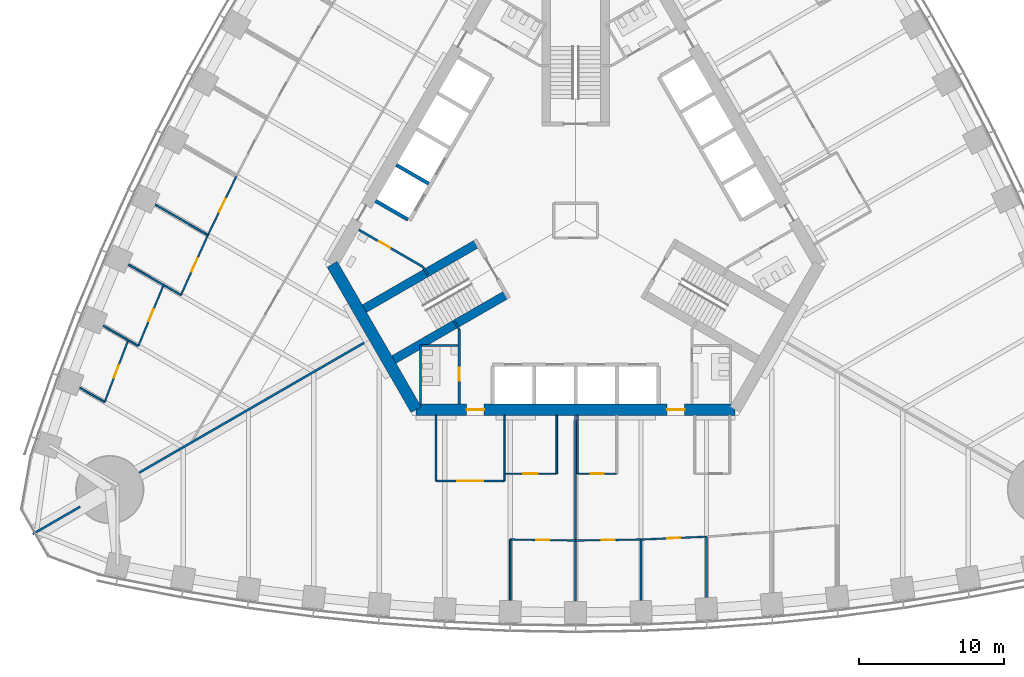
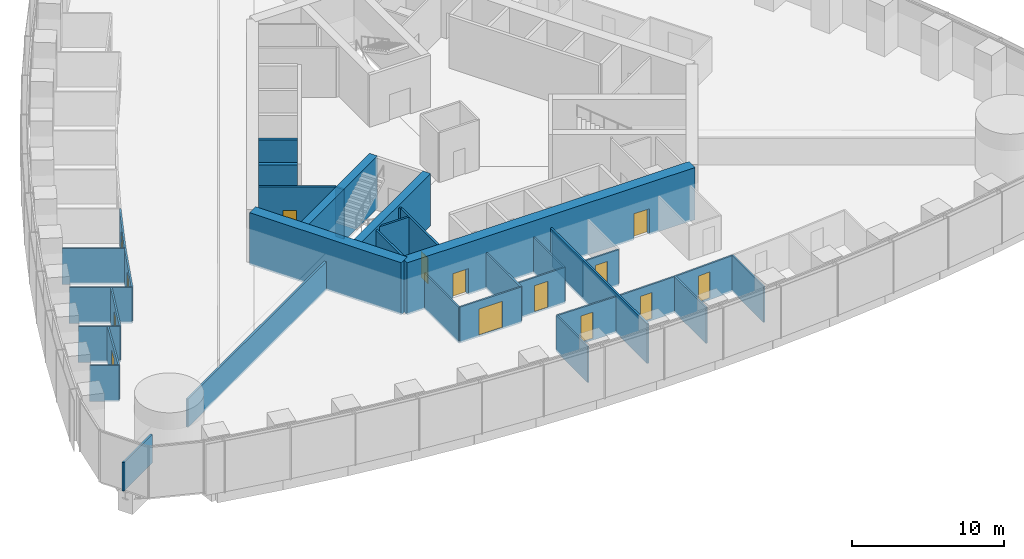
# One storey, part 10 of 18: 36 walls, 14 doors, 14 openings.
"""IFC4 building model written with IfcOpenShell, lengths in metres."""

from ifc_helpers import new_model, si_unit, direction, frame, frame_2d, origin, place, context, subcontext, project, spatial, rectangle, extrude, material, layer, layer_set, type_object, element, fill, save


model = new_model("IFC4")

# Units and contexts
model_context = context("Model", 3, precision=1e-05, world=origin(), true_north=direction((0.0, 1.0)))
body_context = subcontext(model_context, "Body", "Model", "MODEL_VIEW")
ifc_project = project(units=[si_unit("LENGTHUNIT", "METRE"), si_unit("AREAUNIT", "SQUARE_METRE"), si_unit("VOLUMEUNIT", "CUBIC_METRE"), si_unit("PLANEANGLEUNIT", "RADIAN"), si_unit("MASSUNIT", "GRAM", prefix="KILO")], contexts=[model_context])

# Site, building, storey
site_placement = place(None, origin())
site = spatial("IfcSite", under=ifc_project, at=site_placement, CompositionType="ELEMENT")
building_placement = place(site_placement, origin())
building = spatial("IfcBuilding", under=site, at=building_placement, Name="Trefoil Bronze Tower", CompositionType="ELEMENT")
storey_placement = place(building_placement, frame((0.0, 0.0, 24.89990234375)))
storey = spatial("IfcBuildingStorey", under=building, at=storey_placement, Name="L05", CompositionType="ELEMENT", Elevation=24.89990234375)

# Wall, openings, doors
ifc_material_1 = material(Name="Concrete B80", Category="concrete")
ifc_layer_1 = layer(ifc_material_1, 0.800048828125)
ifc_layer_set_1 = layer_set([ifc_layer_1], Name="Core wall 800")
wall_type_1 = type_object("IfcWallType", Name="Core wall 800", PredefinedType="SHEAR", material=ifc_layer_set_1)
wall_1_placement = place(storey_placement, frame((-10.9697265625, -13.0, 0.0), z_axis=(0.0, 0.0, 1.0), x_axis=(1.0, 0.0, 0.0)))
wall_1 = element("IfcWall", 1, at=wall_1_placement, inside=storey, type_object=wall_type_1, Name="Core long wall 1 L05", PredefinedType="SHEAR", context=body_context, shape_type="SweptSolid", body=[
    extrude(rectangle(XDim=21.939453125, YDim=0.800048828125, at=frame_2d((10.9697265625, 0.0))), origin(), (0.0, 0.0, 1.0), 4.2001953125),
])
opening_1_placement = place(wall_1_placement, frame((17.269775390625, 0.0, 0.0)))
opening_1 = element("IfcOpeningElement", 2, at=opening_1_placement, cuts=wall_1, Name="Opening D2", PredefinedType="OPENING", context=body_context, shape_type="SweptSolid", body=[
    extrude(rectangle(XDim=1.199951171875, YDim=2.10009765625, at=frame_2d((0.60009765625, 1.050048828125))), frame((0.0, 0.409912109375, 0.0), z_axis=(0.0, -1.0, 0.0), x_axis=(1.0, 0.0, 0.0)), (0.0, 0.0, 1.0), 0.820068359375),
])
opening_2_placement = place(wall_1_placement, frame((3.4697265625, 0.0, 0.0)))
opening_2 = element("IfcOpeningElement", 3, at=opening_2_placement, cuts=wall_1, Name="Opening D2", PredefinedType="OPENING", context=body_context, shape_type="SweptSolid", body=[
    extrude(rectangle(XDim=1.199951171875, YDim=2.10009765625, at=frame_2d((0.60009765625, 1.050048828125))), frame((0.0, 0.409912109375, 0.0), z_axis=(0.0, -1.0, 0.0), x_axis=(1.0, 0.0, 0.0)), (0.0, 0.0, 1.0), 0.820068359375),
])
ifc_material_2 = material(Name="Steel door", Category="steel")
door_type_1 = type_object("IfcDoorType", Name="Lobby door 1200", OperationType="SINGLE_SWING_RIGHT", PredefinedType="DOOR", material=ifc_material_2)
door_1_placement = place(opening_1_placement, origin())
door_1 = element("IfcDoor", 4, at=door_1_placement, inside=storey, type_object=door_type_1, Name="Lobby door F1+ L05", OperationType="SINGLE_SWING_RIGHT", OverallHeight=2.10009765625, OverallWidth=1.199951171875, PredefinedType="DOOR", context=body_context, shape_type="SweptSolid", body=[
    extrude(rectangle(XDim=1.199951171875, YDim=2.10009765625, at=frame_2d((0.60009765625, 1.050048828125))), frame((0.0, 0.02490234375, 0.0), z_axis=(0.0, -1.0, 0.0), x_axis=(1.0, 0.0, 0.0)), (0.0, 0.0, 1.0), 0.050048828125),
])
fill(opening_1, door_1)
door_2_placement = place(opening_2_placement, origin())
door_2 = element("IfcDoor", 5, at=door_2_placement, inside=storey, type_object=door_type_1, Name="Lobby door F1- L05", OperationType="SINGLE_SWING_LEFT", OverallHeight=2.10009765625, OverallWidth=1.199951171875, PredefinedType="DOOR", context=body_context, shape_type="SweptSolid", body=[
    extrude(rectangle(XDim=1.199951171875, YDim=2.10009765625, at=frame_2d((0.60009765625, 1.050048828125))), frame((0.0, 0.02490234375, 0.0), z_axis=(0.0, -1.0, 0.0), x_axis=(1.0, 0.0, 0.0)), (0.0, 0.0, 1.0), 0.050048828125),
])
fill(opening_2, door_2)

# Wall
wall_2_placement = place(storey_placement, frame((-16.7431640625, -3.0, 0.0), z_axis=(0.0, 0.0, 1.0), x_axis=(0.499995765644, -0.866027848477, 0.0)))
element("IfcWall", 6, at=wall_2_placement, inside=storey, type_object=wall_type_1, Name="Core short wall 3 L05", PredefinedType="SHEAR", context=body_context, shape_type="SweptSolid", body=[
    extrude(rectangle(XDim=11.546875, YDim=0.800048828125, at=frame_2d((5.7734375, 0.0))), origin(), (0.0, 0.0, 1.0), 4.2001953125),
])

# Wall, opening, door
ifc_material_3 = material(Name="Glazed partition", Category="glass")
ifc_layer_2 = layer(ifc_material_3, 0.1201171875)
ifc_layer_set_2 = layer_set([ifc_layer_2], Name="Glazed partition 120")
wall_type_2 = type_object("IfcWallType", Name="Glazed partition 120", PredefinedType="PARTITIONING", material=ifc_layer_set_2)
wall_3_placement = place(storey_placement, frame((0.125, -17.39990234375, 0.0), z_axis=(0.0, 0.0, 1.0), x_axis=(1.0, 0.0, 0.0)))
wall_3 = element("IfcWall", 7, at=wall_3_placement, inside=storey, type_object=wall_type_2, Name="Partition F1 L05", PredefinedType="PARTITIONING", context=body_context, shape_type="SweptSolid", body=[
    extrude(rectangle(XDim=2.699951171875, YDim=0.1201171875, at=frame_2d((1.35009765625, 0.0))), origin(), (0.0, 0.0, 1.0), 2.900146484375),
])
opening_3_placement = place(wall_3_placement, frame((0.89990234375, 0.0, 0.14990234375)))
opening_3 = element("IfcOpeningElement", 8, at=opening_3_placement, cuts=wall_3, Name="Opening D8", PredefinedType="OPENING", context=body_context, shape_type="SweptSolid", body=[
    extrude(rectangle(XDim=0.89990234375, YDim=2.10009765625, at=frame_2d((0.449951171875, 1.050048828125))), frame((0.0, 0.070068359375, 0.0), z_axis=(0.0, -1.0, 0.0), x_axis=(1.0, 0.0, 0.0)), (0.0, 0.0, 1.0), 0.14013671875),
])
ifc_material_4 = material(Name="Timber door", Category="wood")
door_type_2 = type_object("IfcDoorType", Name="Office door 900", OperationType="SINGLE_SWING_LEFT", PredefinedType="DOOR", material=ifc_material_4)
door_3_placement = place(opening_3_placement, origin())
door_3 = element("IfcDoor", 9, at=door_3_placement, inside=storey, type_object=door_type_2, Name="Pantry door F1 L05", OperationType="SINGLE_SWING_LEFT", OverallHeight=2.10009765625, OverallWidth=0.89990234375, PredefinedType="DOOR", context=body_context, shape_type="SweptSolid", body=[
    extrude(rectangle(XDim=0.89990234375, YDim=2.10009765625, at=frame_2d((0.449951171875, 1.050048828125))), frame((0.0, 0.02490234375, 0.0), z_axis=(0.0, -1.0, 0.0), x_axis=(1.0, 0.0, 0.0)), (0.0, 0.0, 1.0), 0.050048828125),
])
fill(opening_3, door_3)

wall_4_placement = place(storey_placement, frame((-4.89990234375, -17.39990234375, 0.0), z_axis=(0.0, 0.0, 1.0), x_axis=(1.0, 0.0, 0.0)))
wall_4 = element("IfcWall", 10, at=wall_4_placement, inside=storey, type_object=wall_type_2, Name="Partition F1 L05", PredefinedType="PARTITIONING", context=body_context, shape_type="SweptSolid", body=[
    extrude(rectangle(XDim=3.599853515625, YDim=0.1201171875, at=frame_2d((1.7998046875, 0.0))), origin(), (0.0, 0.0, 1.0), 2.900146484375),
])
opening_4_placement = place(wall_4_placement, frame((1.300048828125, 0.0, 0.14990234375)))
opening_4 = element("IfcOpeningElement", 11, at=opening_4_placement, cuts=wall_4, Name="Opening D9", PredefinedType="OPENING", context=body_context, shape_type="SweptSolid", body=[
    extrude(rectangle(XDim=1.0, YDim=2.10009765625, at=frame_2d((0.5, 1.050048828125))), frame((0.0, 0.070068359375, 0.0), z_axis=(0.0, -1.0, 0.0), x_axis=(1.0, 0.0, 0.0)), (0.0, 0.0, 1.0), 0.14013671875),
])
ifc_material_5 = material(Name="Glazed timber door", Category="wood")
door_type_3 = type_object("IfcDoorType", Name="Meeting room door 1000", OperationType="SINGLE_SWING_LEFT", PredefinedType="DOOR", material=ifc_material_5)
door_4_placement = place(opening_4_placement, origin())
door_4 = element("IfcDoor", 12, at=door_4_placement, inside=storey, type_object=door_type_3, Name="Meeting room door F1 L05", OperationType="SINGLE_SWING_LEFT", OverallHeight=2.10009765625, OverallWidth=1.0, PredefinedType="DOOR", context=body_context, shape_type="SweptSolid", body=[
    extrude(rectangle(XDim=1.0, YDim=2.10009765625, at=frame_2d((0.5, 1.050048828125))), frame((0.0, 0.02490234375, 0.0), z_axis=(0.0, -1.0, 0.0), x_axis=(1.0, 0.0, 0.0)), (0.0, 0.0, 1.0), 0.050048828125),
])
fill(opening_4, door_4)

wall_5_placement = place(storey_placement, frame((-9.60009765625, -17.89990234375, 0.0), z_axis=(0.0, 0.0, 1.0), x_axis=(1.0, 0.0, 0.0)))
wall_5 = element("IfcWall", 13, at=wall_5_placement, inside=storey, type_object=wall_type_2, Name="Partition F1 L05", PredefinedType="PARTITIONING", context=body_context, shape_type="SweptSolid", body=[
    extrude(rectangle(XDim=4.7001953125, YDim=0.1201171875, at=frame_2d((2.35009765625, 0.0))), origin(), (0.0, 0.0, 1.0), 2.900146484375),
])
opening_5_placement = place(wall_5_placement, frame((1.449951171875, 0.0, 0.14990234375)))
opening_5 = element("IfcOpeningElement", 14, at=opening_5_placement, cuts=wall_5, Name="Opening D10", PredefinedType="OPENING", context=body_context, shape_type="SweptSolid", body=[
    extrude(rectangle(XDim=1.800048828125, YDim=2.10009765625, at=frame_2d((0.89990234375, 1.050048828125))), frame((0.0, 0.070068359375, 0.0), z_axis=(0.0, -1.0, 0.0), x_axis=(1.0, 0.0, 0.0)), (0.0, 0.0, 1.0), 0.14013671875),
])
ifc_material_6 = material(Name="Timber door", Category="wood")
door_type_4 = type_object("IfcDoorType", Name="Double door 1800", OperationType="DOUBLE_DOOR_SINGLE_SWING", PredefinedType="DOOR", material=ifc_material_6)
door_5_placement = place(opening_5_placement, origin())
door_5 = element("IfcDoor", 15, at=door_5_placement, inside=storey, type_object=door_type_4, Name="Reception door F1 L05", OperationType="DOUBLE_DOOR_SINGLE_SWING", OverallHeight=2.10009765625, OverallWidth=1.800048828125, PredefinedType="DOOR", context=body_context, shape_type="SweptSolid", body=[
    extrude(rectangle(XDim=1.800048828125, YDim=2.10009765625, at=frame_2d((0.89990234375, 1.050048828125))), frame((0.0, 0.02490234375, 0.0), z_axis=(0.0, -1.0, 0.0), x_axis=(1.0, 0.0, 0.0)), (0.0, 0.0, 1.0), 0.050048828125),
])
fill(opening_5, door_5)

# Walls
for number, where, z_axis, x_axis, name in (
    (16, (0.125, -13.39990234375, 0.0), (0.0, 0.0, 1.0), (0.0, -1.0, 0.0), "Partition F1 L05"),
    (17, (-1.300048828125, -13.39990234375, 0.0), (0.0, 0.0, 1.0), (0.0, -1.0, 0.0), "Partition F1 L05"),
):
    element("IfcWall", number, at=place(storey_placement, frame(where, z_axis=z_axis, x_axis=x_axis)), inside=storey, type_object=wall_type_2, Name=name, PredefinedType="PARTITIONING", context=body_context, shape_type="SweptSolid", body=[
        extrude(rectangle(XDim=4.0, YDim=0.1201171875, at=frame_2d((2.0, 0.0))), origin(), (0.0, 0.0, 1.0), 2.900146484375),
    ])
for number, where, z_axis, x_axis, name in (
    (18, (-4.89990234375, -13.39990234375, 0.0), (0.0, 0.0, 1.0), (0.0, -1.0, 0.0), "Partition F1 L05"),
    (19, (-9.60009765625, -13.39990234375, 0.0), (0.0, 0.0, 1.0), (0.0, -1.0, 0.0), "Partition F1 L05"),
):
    element("IfcWall", number, at=place(storey_placement, frame(where, z_axis=z_axis, x_axis=x_axis)), inside=storey, type_object=wall_type_2, Name=name, PredefinedType="PARTITIONING", context=body_context, shape_type="SweptSolid", body=[
        extrude(rectangle(XDim=4.5, YDim=0.1201171875, at=frame_2d((2.25, 0.0))), origin(), (0.0, 0.0, 1.0), 2.900146484375),
    ])

# Wall, opening, door
wall_6_placement = place(storey_placement, frame((0.0, -21.998779296875, 0.0), z_axis=(0.0, 0.0, 1.0), x_axis=(0.999894311967, 0.014538393859, 0.0)))
wall_6 = element("IfcWall", 20, at=wall_6_placement, inside=storey, type_object=wall_type_2, Name="Partition F1 L05", PredefinedType="PARTITIONING", context=body_context, shape_type="SweptSolid", body=[
    extrude(rectangle(XDim=4.50048828125, YDim=0.1201171875, at=frame_2d((2.250244140625, 0.0))), origin(), (0.0, 0.0, 1.0), 2.900146484375),
])
opening_6_placement = place(wall_6_placement, frame((1.800048828125, 0.0, 0.14990234375)))
opening_6 = element("IfcOpeningElement", 21, at=opening_6_placement, cuts=wall_6, Name="Opening D8", PredefinedType="OPENING", context=body_context, shape_type="SweptSolid", body=[
    extrude(rectangle(XDim=0.89990234375, YDim=2.10009765625, at=frame_2d((0.449951171875, 1.050048828125))), frame((0.0, 0.070068359375, 0.0), z_axis=(0.0, -1.0, 0.0), x_axis=(1.0, 0.0, 0.0)), (0.0, 0.0, 1.0), 0.14013671875),
])
door_6_placement = place(opening_6_placement, frame((0.89990234375, 0.0, 0.0), z_axis=(0.0, 0.0, 1.0), x_axis=(-1.0, 0.0, 0.0)))
door_6 = element("IfcDoor", 22, at=door_6_placement, inside=storey, type_object=door_type_2, Name="Office door F1 L05", OperationType="SINGLE_SWING_RIGHT", OverallHeight=2.10009765625, OverallWidth=0.89990234375, PredefinedType="DOOR", context=body_context, shape_type="SweptSolid", body=[
    extrude(rectangle(XDim=0.89990234375, YDim=2.10009765625, at=frame_2d((0.449951171875, 1.050048828125))), frame((0.0, 0.02490234375, 0.0), z_axis=(0.0, -1.0, 0.0), x_axis=(1.0, 0.0, 0.0)), (0.0, 0.0, 1.0), 0.050048828125),
])
fill(opening_6, door_6)

wall_7_placement = place(storey_placement, frame((4.5, -21.933349609375, 0.0), z_axis=(0.0, 0.0, 1.0), x_axis=(0.999052370647, 0.043524254212, 0.0)))
wall_7 = element("IfcWall", 23, at=wall_7_placement, inside=storey, type_object=wall_type_2, Name="Partition F1 L05", PredefinedType="PARTITIONING", context=body_context, shape_type="SweptSolid", body=[
    extrude(rectangle(XDim=4.504150390625, YDim=0.1201171875, at=frame_2d((2.251953125, 0.0))), origin(), (0.0, 0.0, 1.0), 2.900146484375),
])
opening_7_placement = place(wall_7_placement, frame((1.800048828125, 0.0, 0.14990234375)))
opening_7 = element("IfcOpeningElement", 24, at=opening_7_placement, cuts=wall_7, Name="Opening D8", PredefinedType="OPENING", context=body_context, shape_type="SweptSolid", body=[
    extrude(rectangle(XDim=0.89990234375, YDim=2.10009765625, at=frame_2d((0.449951171875, 1.050048828125))), frame((0.0, 0.070068359375, 0.0), z_axis=(0.0, -1.0, 0.0), x_axis=(1.0, 0.0, 0.0)), (0.0, 0.0, 1.0), 0.14013671875),
])
door_7_placement = place(opening_7_placement, frame((0.89990234375, 0.0, 0.0), z_axis=(0.0, 0.0, 1.0), x_axis=(-1.0, 0.0, 0.0)))
door_7 = element("IfcDoor", 25, at=door_7_placement, inside=storey, type_object=door_type_2, Name="Office door F1 L05", OperationType="SINGLE_SWING_RIGHT", OverallHeight=2.10009765625, OverallWidth=0.89990234375, PredefinedType="DOOR", context=body_context, shape_type="SweptSolid", body=[
    extrude(rectangle(XDim=0.89990234375, YDim=2.10009765625, at=frame_2d((0.449951171875, 1.050048828125))), frame((0.0, 0.02490234375, 0.0), z_axis=(0.0, -1.0, 0.0), x_axis=(1.0, 0.0, 0.0)), (0.0, 0.0, 1.0), 0.050048828125),
])
fill(opening_7, door_7)

wall_8_placement = place(storey_placement, frame((-4.5, -21.933349609375, 0.0), z_axis=(0.0, 0.0, 1.0), x_axis=(0.999894311967, -0.014538393859, 0.0)))
wall_8 = element("IfcWall", 26, at=wall_8_placement, inside=storey, type_object=wall_type_2, Name="Partition F1 L05", PredefinedType="PARTITIONING", context=body_context, shape_type="SweptSolid", body=[
    extrude(rectangle(XDim=4.50048828125, YDim=0.1201171875, at=frame_2d((2.250244140625, 0.0))), origin(), (0.0, 0.0, 1.0), 2.900146484375),
])
opening_8_placement = place(wall_8_placement, frame((1.800048828125, 0.0, 0.14990234375)))
opening_8 = element("IfcOpeningElement", 27, at=opening_8_placement, cuts=wall_8, Name="Opening D8", PredefinedType="OPENING", context=body_context, shape_type="SweptSolid", body=[
    extrude(rectangle(XDim=0.89990234375, YDim=2.10009765625, at=frame_2d((0.449951171875, 1.050048828125))), frame((0.0, 0.070068359375, 0.0), z_axis=(0.0, -1.0, 0.0), x_axis=(1.0, 0.0, 0.0)), (0.0, 0.0, 1.0), 0.14013671875),
])
door_8_placement = place(opening_8_placement, frame((0.89990234375, 0.0, 0.0), z_axis=(0.0, 0.0, 1.0), x_axis=(-1.0, 0.0, 0.0)))
door_8 = element("IfcDoor", 28, at=door_8_placement, inside=storey, type_object=door_type_2, Name="Office door F1 L05", OperationType="SINGLE_SWING_RIGHT", OverallHeight=2.10009765625, OverallWidth=0.89990234375, PredefinedType="DOOR", context=body_context, shape_type="SweptSolid", body=[
    extrude(rectangle(XDim=0.89990234375, YDim=2.10009765625, at=frame_2d((0.449951171875, 1.050048828125))), frame((0.0, 0.02490234375, 0.0), z_axis=(0.0, -1.0, 0.0), x_axis=(1.0, 0.0, 0.0)), (0.0, 0.0, 1.0), 0.050048828125),
])
fill(opening_8, door_8)

# Walls
wall_9_placement = place(storey_placement, frame((4.5, -21.933349609375, 0.0), z_axis=(0.0, 0.0, 1.0), x_axis=(0.0, -1.0, 0.0)))
element("IfcWall", 29, at=wall_9_placement, inside=storey, type_object=wall_type_2, Name="Partition F1 L05", PredefinedType="PARTITIONING", context=body_context, shape_type="SweptSolid", body=[
    extrude(rectangle(XDim=4.16943359375, YDim=0.1201171875, at=frame_2d((2.084716796875, 0.0))), origin(), (0.0, 0.0, 1.0), 2.900146484375),
])
wall_10_placement = place(storey_placement, frame((9.0, -21.7373046875, 0.0), z_axis=(0.0, 0.0, 1.0), x_axis=(0.0, -1.0, 0.0)))
element("IfcWall", 30, at=wall_10_placement, inside=storey, type_object=wall_type_2, Name="Partition F1 L05", PredefinedType="PARTITIONING", context=body_context, shape_type="SweptSolid", body=[
    extrude(rectangle(XDim=4.16748046875, YDim=0.1201171875, at=frame_2d((2.083740234375, 0.0))), origin(), (0.0, 0.0, 1.0), 2.900146484375),
])
wall_11_placement = place(storey_placement, frame((-4.5, -21.933349609375, 0.0), z_axis=(0.0, 0.0, 1.0), x_axis=(0.0, -1.0, 0.0)))
element("IfcWall", 31, at=wall_11_placement, inside=storey, type_object=wall_type_2, Name="Partition F1 L05", PredefinedType="PARTITIONING", context=body_context, shape_type="SweptSolid", body=[
    extrude(rectangle(XDim=4.16943359375, YDim=0.1201171875, at=frame_2d((2.084716796875, 0.0))), origin(), (0.0, 0.0, 1.0), 2.900146484375),
])

# Wall, opening, door
wall_12_placement = place(storey_placement, frame((-25.291748046875, -0.986328125, 0.0), z_axis=(0.0, 0.0, 1.0), x_axis=(-0.409451055745, -0.912332084796, 0.0)))
wall_12 = element("IfcWall", 32, at=wall_12_placement, inside=storey, type_object=wall_type_2, Name="Partition F3 L05", PredefinedType="PARTITIONING", context=body_context, shape_type="SweptSolid", body=[
    extrude(rectangle(XDim=4.523193359375, YDim=0.1201171875, at=frame_2d((2.26171875, 0.0))), origin(), (0.0, 0.0, 1.0), 2.900146484375),
])
opening_9_placement = place(wall_12_placement, frame((1.75, 0.0, 0.14990234375)))
opening_9 = element("IfcOpeningElement", 33, at=opening_9_placement, cuts=wall_12, Name="Opening D9", PredefinedType="OPENING", context=body_context, shape_type="SweptSolid", body=[
    extrude(rectangle(XDim=1.0, YDim=2.10009765625, at=frame_2d((0.5, 1.050048828125))), frame((0.0, 0.070068359375, 0.0), z_axis=(0.0, -1.0, 0.0), x_axis=(1.0, 0.0, 0.0)), (0.0, 0.0, 1.0), 0.14013671875),
])
door_9_placement = place(opening_9_placement, frame((1.0, 0.0, 0.0), z_axis=(0.0, 0.0, 1.0), x_axis=(-1.0, 0.0, 0.0)))
door_9 = element("IfcDoor", 34, at=door_9_placement, inside=storey, type_object=door_type_3, Name="Meeting room door F3 L05", OperationType="SINGLE_SWING_RIGHT", OverallHeight=2.10009765625, OverallWidth=1.0, PredefinedType="DOOR", context=body_context, shape_type="SweptSolid", body=[
    extrude(rectangle(XDim=1.0, YDim=2.10009765625, at=frame_2d((0.5, 1.050048828125))), frame((0.0, 0.02490234375, 0.0), z_axis=(0.0, -1.0, 0.0), x_axis=(1.0, 0.0, 0.0)), (0.0, 0.0, 1.0), 0.050048828125),
])
fill(opening_9, door_9)

wall_13_placement = place(storey_placement, frame((-28.3388671875, -4.423095703125, 0.0), z_axis=(0.0, 0.0, 1.0), x_axis=(-0.382639984525, -0.923897527999, 0.0)))
wall_13 = element("IfcWall", 35, at=wall_13_placement, inside=storey, type_object=wall_type_2, Name="Partition F3 L05", PredefinedType="PARTITIONING", context=body_context, shape_type="SweptSolid", body=[
    extrude(rectangle(XDim=4.5390625, YDim=0.1201171875, at=frame_2d((2.26953125, 0.0))), origin(), (0.0, 0.0, 1.0), 2.900146484375),
])
opening_10_placement = place(wall_13_placement, frame((1.800048828125, 0.0, 0.14990234375)))
opening_10 = element("IfcOpeningElement", 36, at=opening_10_placement, cuts=wall_13, Name="Opening D8", PredefinedType="OPENING", context=body_context, shape_type="SweptSolid", body=[
    extrude(rectangle(XDim=0.89990234375, YDim=2.10009765625, at=frame_2d((0.449951171875, 1.050048828125))), frame((0.0, 0.070068359375, 0.0), z_axis=(0.0, -1.0, 0.0), x_axis=(1.0, 0.0, 0.0)), (0.0, 0.0, 1.0), 0.14013671875),
])
door_10_placement = place(opening_10_placement, frame((0.89990234375, 0.0, 0.0), z_axis=(0.0, 0.0, 1.0), x_axis=(-1.0, 0.0, 0.0)))
door_10 = element("IfcDoor", 37, at=door_10_placement, inside=storey, type_object=door_type_2, Name="Pantry door F3 L05", OperationType="SINGLE_SWING_RIGHT", OverallHeight=2.10009765625, OverallWidth=0.89990234375, PredefinedType="DOOR", context=body_context, shape_type="SweptSolid", body=[
    extrude(rectangle(XDim=0.89990234375, YDim=2.10009765625, at=frame_2d((0.449951171875, 1.050048828125))), frame((0.0, 0.02490234375, 0.0), z_axis=(0.0, -1.0, 0.0), x_axis=(1.0, 0.0, 0.0)), (0.0, 0.0, 1.0), 0.050048828125),
])
fill(opening_10, door_10)

wall_14_placement = place(storey_placement, frame((-30.772705078125, -8.214111328125, 0.0), z_axis=(0.0, 0.0, 1.0), x_axis=(-0.355351603025, -0.93473270951, 0.0)))
wall_14 = element("IfcWall", 38, at=wall_14_placement, inside=storey, type_object=wall_type_2, Name="Partition F3 L05", PredefinedType="PARTITIONING", context=body_context, shape_type="SweptSolid", body=[
    extrude(rectangle(XDim=4.55859375, YDim=0.1201171875, at=frame_2d((2.279296875, 0.0))), origin(), (0.0, 0.0, 1.0), 2.900146484375),
])
opening_11_placement = place(wall_14_placement, frame((1.85009765625, 0.0, 0.14990234375)))
opening_11 = element("IfcOpeningElement", 39, at=opening_11_placement, cuts=wall_14, Name="Opening D8", PredefinedType="OPENING", context=body_context, shape_type="SweptSolid", body=[
    extrude(rectangle(XDim=0.89990234375, YDim=2.10009765625, at=frame_2d((0.449951171875, 1.050048828125))), frame((0.0, 0.070068359375, 0.0), z_axis=(0.0, -1.0, 0.0), x_axis=(1.0, 0.0, 0.0)), (0.0, 0.0, 1.0), 0.14013671875),
])
door_11_placement = place(opening_11_placement, frame((0.89990234375, 0.0, 0.0), z_axis=(0.0, 0.0, 1.0), x_axis=(-1.0, 0.0, 0.0)))
door_11 = element("IfcDoor", 40, at=door_11_placement, inside=storey, type_object=door_type_2, Name="Comms room door F3 L05", OperationType="SINGLE_SWING_LEFT", OverallHeight=2.10009765625, OverallWidth=0.89990234375, PredefinedType="DOOR", context=body_context, shape_type="SweptSolid", body=[
    extrude(rectangle(XDim=0.89990234375, YDim=2.10009765625, at=frame_2d((0.449951171875, 1.050048828125))), frame((0.0, 0.02490234375, 0.0), z_axis=(0.0, -1.0, 0.0), x_axis=(1.0, 0.0, 0.0)), (0.0, 0.0, 1.0), 0.050048828125),
])
fill(opening_11, door_11)

wall_15_placement = place(storey_placement, frame((-23.3251953125, 3.074462890625, 0.0), z_axis=(0.0, 0.0, 1.0), x_axis=(-0.435857917556, -0.900015486369, 0.0)))
wall_15 = element("IfcWall", 41, at=wall_15_placement, inside=storey, type_object=wall_type_2, Name="Partition F3 L05", PredefinedType="PARTITIONING", context=body_context, shape_type="SweptSolid", body=[
    extrude(rectangle(XDim=4.511962890625, YDim=0.1201171875, at=frame_2d((2.255859375, 0.0))), origin(), (0.0, 0.0, 1.0), 2.900146484375),
])
opening_12_placement = place(wall_15_placement, frame((1.75, 0.0, 0.14990234375)))
opening_12 = element("IfcOpeningElement", 42, at=opening_12_placement, cuts=wall_15, Name="Opening D9", PredefinedType="OPENING", context=body_context, shape_type="SweptSolid", body=[
    extrude(rectangle(XDim=1.0, YDim=2.10009765625, at=frame_2d((0.5, 1.050048828125))), frame((0.0, 0.070068359375, 0.0), z_axis=(0.0, -1.0, 0.0), x_axis=(1.0, 0.0, 0.0)), (0.0, 0.0, 1.0), 0.14013671875),
])
door_12_placement = place(opening_12_placement, frame((1.0, 0.0, 0.0), z_axis=(0.0, 0.0, 1.0), x_axis=(-1.0, 0.0, 0.0)))
door_12 = element("IfcDoor", 43, at=door_12_placement, inside=storey, type_object=door_type_3, Name="Meeting room door F3 L05", OperationType="SINGLE_SWING_RIGHT", OverallHeight=2.10009765625, OverallWidth=1.0, PredefinedType="DOOR", context=body_context, shape_type="SweptSolid", body=[
    extrude(rectangle(XDim=1.0, YDim=2.10009765625, at=frame_2d((0.5, 1.050048828125))), frame((0.0, 0.02490234375, 0.0), z_axis=(0.0, -1.0, 0.0), x_axis=(1.0, 0.0, 0.0)), (0.0, 0.0, 1.0), 0.050048828125),
])
fill(opening_12, door_12)

# Walls
wall_16_placement = place(storey_placement, frame((-25.291748046875, -0.986328125, 0.0), z_axis=(0.0, 0.0, 1.0), x_axis=(-0.866011781705, 0.500023593391, 0.0)))
element("IfcWall", 44, at=wall_16_placement, inside=storey, type_object=wall_type_2, Name="Partition F3 L05", PredefinedType="PARTITIONING", context=body_context, shape_type="SweptSolid", body=[
    extrude(rectangle(XDim=4.163818359375, YDim=0.1201171875, at=frame_2d((2.08203125, 0.0))), origin(), (0.0, 0.0, 1.0), 2.900146484375),
])
wall_17_placement = place(storey_placement, frame((-27.143798828125, -5.113037109375, 0.0), z_axis=(0.0, 0.0, 1.0), x_axis=(-0.866031144707, 0.499990056298, 0.0)))
element("IfcWall", 45, at=wall_17_placement, inside=storey, type_object=wall_type_2, Name="Partition F3 L05", PredefinedType="PARTITIONING", context=body_context, shape_type="SweptSolid", body=[
    extrude(rectangle(XDim=4.1591796875, YDim=0.1201171875, at=frame_2d((2.07958984375, 0.0))), origin(), (0.0, 0.0, 1.0), 2.900146484375),
])
wall_18_placement = place(storey_placement, frame((-30.07568359375, -8.61669921875, 0.0), z_axis=(0.0, 0.0, 1.0), x_axis=(-0.866002324719, 0.500039971984, 0.0)))
element("IfcWall", 46, at=wall_18_placement, inside=storey, type_object=wall_type_2, Name="Partition F3 L05", PredefinedType="PARTITIONING", context=body_context, shape_type="SweptSolid", body=[
    extrude(rectangle(XDim=2.773193359375, YDim=0.1201171875, at=frame_2d((1.38671875, 0.0))), origin(), (0.0, 0.0, 1.0), 2.900146484375),
])
wall_19_placement = place(storey_placement, frame((-32.392578125, -12.47509765625, 0.0), z_axis=(0.0, 0.0, 1.0), x_axis=(-0.865996887259, 0.500049388818, 0.0)))
element("IfcWall", 47, at=wall_19_placement, inside=storey, type_object=wall_type_2, Name="Partition F3 L05", PredefinedType="PARTITIONING", context=body_context, shape_type="SweptSolid", body=[
    extrude(rectangle(XDim=1.960693359375, YDim=0.1201171875, at=frame_2d((0.98046875, 0.0))), origin(), (0.0, 0.0, 1.0), 2.900146484375),
])

# Wall, opening, door
ifc_material_7 = material(Name="Gypsum board on steel studs", Category="steel")
ifc_layer_3 = layer(ifc_material_7, 0.14990234375)
ifc_layer_set_3 = layer_set([ifc_layer_3], Name="Partition 150")
wall_type_3 = type_object("IfcWallType", Name="Partition 150", PredefinedType="PARTITIONING", material=ifc_layer_set_3)
wall_20_placement = place(storey_placement, frame((-8.0, -7.5, 0.0), z_axis=(0.0, 0.0, 1.0), x_axis=(0.0, -1.0, 0.0)))
wall_20 = element("IfcWall", 48, at=wall_20_placement, inside=storey, type_object=wall_type_3, Name="Passage wall F1- L05", PredefinedType="PARTITIONING", context=body_context, shape_type="SweptSolid", body=[
    extrude(rectangle(XDim=5.10009765625, YDim=0.14990234375, at=frame_2d((2.550048828125, 0.0))), origin(), (0.0, 0.0, 1.0), 4.0),
])
opening_13_placement = place(wall_20_placement, frame((2.60009765625, 0.0, 0.0)))
opening_13 = element("IfcOpeningElement", 49, at=opening_13_placement, cuts=wall_20, Name="Opening D3", PredefinedType="OPENING", context=body_context, shape_type="SweptSolid", body=[
    extrude(rectangle(XDim=0.89990234375, YDim=2.10009765625, at=frame_2d((0.449951171875, 1.050048828125))), frame((0.0, 0.0849609375, 0.0), z_axis=(0.0, -1.0, 0.0), x_axis=(1.0, 0.0, 0.0)), (0.0, 0.0, 1.0), 0.169921875),
])
ifc_material_8 = material(Name="Timber door", Category="wood")
door_type_5 = type_object("IfcDoorType", Name="WC door 900", OperationType="SINGLE_SWING_LEFT", PredefinedType="DOOR", material=ifc_material_8)
door_13_placement = place(opening_13_placement, frame((0.89990234375, 0.0, 0.0), z_axis=(0.0, 0.0, 1.0), x_axis=(-1.0, 0.0, 0.0)))
door_13 = element("IfcDoor", 50, at=door_13_placement, inside=storey, type_object=door_type_5, Name="WC (women) door L05", OperationType="SINGLE_SWING_RIGHT", OverallHeight=2.10009765625, OverallWidth=0.89990234375, PredefinedType="DOOR", context=body_context, shape_type="SweptSolid", body=[
    extrude(rectangle(XDim=0.89990234375, YDim=2.10009765625, at=frame_2d((0.449951171875, 1.050048828125))), frame((0.0, 0.02490234375, 0.0), z_axis=(0.0, -1.0, 0.0), x_axis=(1.0, 0.0, 0.0)), (0.0, 0.0, 1.0), 0.050048828125),
])
fill(opening_13, door_13)

wall_21_placement = place(storey_placement, frame((-10.4951171875, -3.17822265625, 0.0), z_axis=(0.0, 0.0, 1.0), x_axis=(-0.86602216432, 0.500005610874, 0.0)))
wall_21 = element("IfcWall", 51, at=wall_21_placement, inside=storey, type_object=wall_type_3, Name="Passage wall F3+ L05", PredefinedType="PARTITIONING", context=body_context, shape_type="SweptSolid", body=[
    extrude(rectangle(XDim=5.10009765625, YDim=0.14990234375, at=frame_2d((2.550048828125, 0.0))), origin(), (0.0, 0.0, 1.0), 4.0),
])
opening_14_placement = place(wall_21_placement, frame((2.60009765625, 0.0, 0.0)))
opening_14 = element("IfcOpeningElement", 52, at=opening_14_placement, cuts=wall_21, Name="Opening D3", PredefinedType="OPENING", context=body_context, shape_type="SweptSolid", body=[
    extrude(rectangle(XDim=0.89990234375, YDim=2.10009765625, at=frame_2d((0.449951171875, 1.050048828125))), frame((0.0, 0.0849609375, 0.0), z_axis=(0.0, -1.0, 0.0), x_axis=(1.0, 0.0, 0.0)), (0.0, 0.0, 1.0), 0.169921875),
])
door_14_placement = place(opening_14_placement, origin())
door_14 = element("IfcDoor", 53, at=door_14_placement, inside=storey, type_object=door_type_5, Name="Accessible WC door L05", OperationType="SINGLE_SWING_RIGHT", OverallHeight=2.10009765625, OverallWidth=0.89990234375, PredefinedType="DOOR", context=body_context, shape_type="SweptSolid", body=[
    extrude(rectangle(XDim=0.89990234375, YDim=2.10009765625, at=frame_2d((0.449951171875, 1.050048828125))), frame((0.0, 0.02490234375, 0.0), z_axis=(0.0, -1.0, 0.0), x_axis=(1.0, 0.0, 0.0)), (0.0, 0.0, 1.0), 0.050048828125),
])
fill(opening_14, door_14)

# Walls
for number, where, z_axis, x_axis, name in (
    (54, (-10.4951171875, -3.17822265625, 0.0), (0.0, 0.0, 1.0), (0.499842556608, -0.866116284689, 0.0), "WC wall ST3-1 L05"),
    (55, (-8.0, -7.5, 0.0), (0.0, 0.0, 1.0), (-0.499842556608, 0.866116284689, 0.0), "WC wall ST3+1 L05"),
):
    element("IfcWall", number, at=place(storey_placement, frame(where, z_axis=z_axis, x_axis=x_axis)), inside=storey, type_object=wall_type_3, Name=name, PredefinedType="PARTITIONING", context=body_context, shape_type="SweptSolid", body=[
        extrude(rectangle(XDim=0.645263671875, YDim=0.14990234375, at=frame_2d((0.32275390625, 0.0))), origin(), (0.0, 0.0, 1.0), 4.0),
    ])
wall_22_placement = place(storey_placement, frame((-10.659912109375, -8.5, 0.0), z_axis=(0.0, 0.0, 1.0), x_axis=(0.0, -1.0, 0.0)))
element("IfcWall", 56, at=wall_22_placement, inside=storey, type_object=wall_type_3, Name="WC partition WC (women) L05", PredefinedType="PARTITIONING", context=body_context, shape_type="SweptSolid", body=[
    extrude(rectangle(XDim=4.10009765625, YDim=0.14990234375, at=frame_2d((2.050048828125, 0.0))), origin(), (0.0, 0.0, 1.0), 4.0),
])
wall_23_placement = place(storey_placement, frame((-8.074951171875, -8.574951171875, 0.0), z_axis=(0.0, 0.0, 1.0), x_axis=(-1.0, 0.0, 0.0)))
element("IfcWall", 57, at=wall_23_placement, inside=storey, type_object=wall_type_3, Name="WC partition WC (women) L05", PredefinedType="PARTITIONING", context=body_context, shape_type="SweptSolid", body=[
    extrude(rectangle(XDim=2.510009765625, YDim=0.14990234375, at=frame_2d((1.2548828125, 0.0))), origin(), (0.0, 0.0, 1.0), 4.0),
])
ifc_material_9 = material(Name="Gypsum board on steel studs", Category="steel")
ifc_layer_4 = layer(ifc_material_9, 0.14990234375)
ifc_layer_set_4 = layer_set([ifc_layer_4], Name="Party wall 150")
wall_type_4 = type_object("IfcWallType", Name="Party wall 150", PredefinedType="PARTITIONING", material=ifc_layer_set_4)
wall_24_placement = place(storey_placement, frame((-14.202880859375, -8.199951171875, 0.0), z_axis=(0.0, 0.0, 1.0), x_axis=(-0.866024965723, -0.500000758745, 0.0)))
element("IfcWall", 58, at=wall_24_placement, inside=storey, type_object=wall_type_4, Name="Party wall K3 L05", PredefinedType="PARTITIONING", context=body_context, shape_type="SweptSolid", body=[
    extrude(rectangle(XDim=18.25, YDim=0.14990234375, at=frame_2d((9.125, 0.0))), origin(), (0.0, 0.0, 1.0), 2.300048828125),
])
wall_25_placement = place(storey_placement, frame((-34.078125, -19.675048828125, 0.0), z_axis=(0.0, 0.0, 1.0), x_axis=(-0.866019247219, -0.500010663332, 0.0)))
element("IfcWall", 59, at=wall_25_placement, inside=storey, type_object=wall_type_4, Name="Party wall K3 L05", PredefinedType="PARTITIONING", context=body_context, shape_type="SweptSolid", body=[
    extrude(rectangle(XDim=3.76416015625, YDim=0.14990234375, at=frame_2d((1.882080078125, 0.0))), origin(), (0.0, 0.0, 1.0), 2.300048828125),
])
wall_26_placement = place(storey_placement, frame((0.0, -13.409912109375, 0.0), z_axis=(0.0, 0.0, 1.0), x_axis=(0.0, -1.0, 0.0)))
element("IfcWall", 60, at=wall_26_placement, inside=storey, type_object=wall_type_4, Name="Demising wall F1 L05", PredefinedType="PARTITIONING", context=body_context, shape_type="SweptSolid", body=[
    extrude(rectangle(XDim=12.7587890625, YDim=0.14990234375, at=frame_2d((6.37939453125, 0.0))), origin(), (0.0, 0.0, 1.0), 3.2001953125),
])
ifc_material_10 = material(Name="Concrete B80", Category="concrete")
ifc_layer_5 = layer(ifc_material_10, 0.25)
ifc_layer_set_5 = layer_set([ifc_layer_5], Name="Shaft wall 250")
wall_type_5 = type_object("IfcWallType", Name="Shaft wall 250", PredefinedType="SHEAR", material=ifc_layer_set_5)
for number, where, z_axis, x_axis, name in (
    (61, (-10.10693359375, 2.54443359375, 0.0), (0.0, 0.0, 1.0), (-0.866046643894, 0.499963209246, 0.0), "Lift shaft side wall C3 L05"),
    (62, (-11.531982421875, 0.076171875, 0.0), (0.0, 0.0, 1.0), (-0.866005588531, 0.500034319456, 0.0), "Lift shaft side wall C4 L05"),
):
    element("IfcWall", number, at=place(storey_placement, frame(where, z_axis=z_axis, x_axis=x_axis)), inside=storey, type_object=wall_type_5, Name=name, PredefinedType="SHEAR", context=body_context, shape_type="SweptSolid", body=[
        extrude(rectangle(XDim=2.574951171875, YDim=0.25, at=frame_2d((1.28759765625, 0.0))), origin(), (0.0, 0.0, 1.0), 4.2001953125),
    ])
ifc_material_11 = material(Name="Concrete B80", Category="concrete")
ifc_layer_6 = layer(ifc_material_11, 0.60009765625)
ifc_layer_set_6 = layer_set([ifc_layer_6], Name="Stair wall 600")
wall_type_6 = type_object("IfcWallType", Name="Stair wall 600", PredefinedType="SHEAR", material=ifc_layer_set_6)
for number, where, z_axis, x_axis, name in (
    (63, (-6.663330078125, -1.5087890625, 0.0), (0.0, 0.0, 1.0), (-0.866019375473, -0.500010441196, 0.0), "Stair wall ST3 L05"),
    (64, (-4.638427734375, -5.01611328125, 0.0), (0.0, 0.0, 1.0), (-0.866019375473, -0.500010441196, 0.0), "Stair wall ST3 L05"),
):
    element("IfcWall", number, at=place(storey_placement, frame(where, z_axis=z_axis, x_axis=x_axis)), inside=storey, type_object=wall_type_6, Name=name, PredefinedType="SHEAR", context=body_context, shape_type="SweptSolid", body=[
        extrude(rectangle(XDim=9.074951171875, YDim=0.60009765625, at=frame_2d((4.53759765625, 0.0))), origin(), (0.0, 0.0, 1.0), 4.2001953125),
    ])

save(model, "model.ifc")
